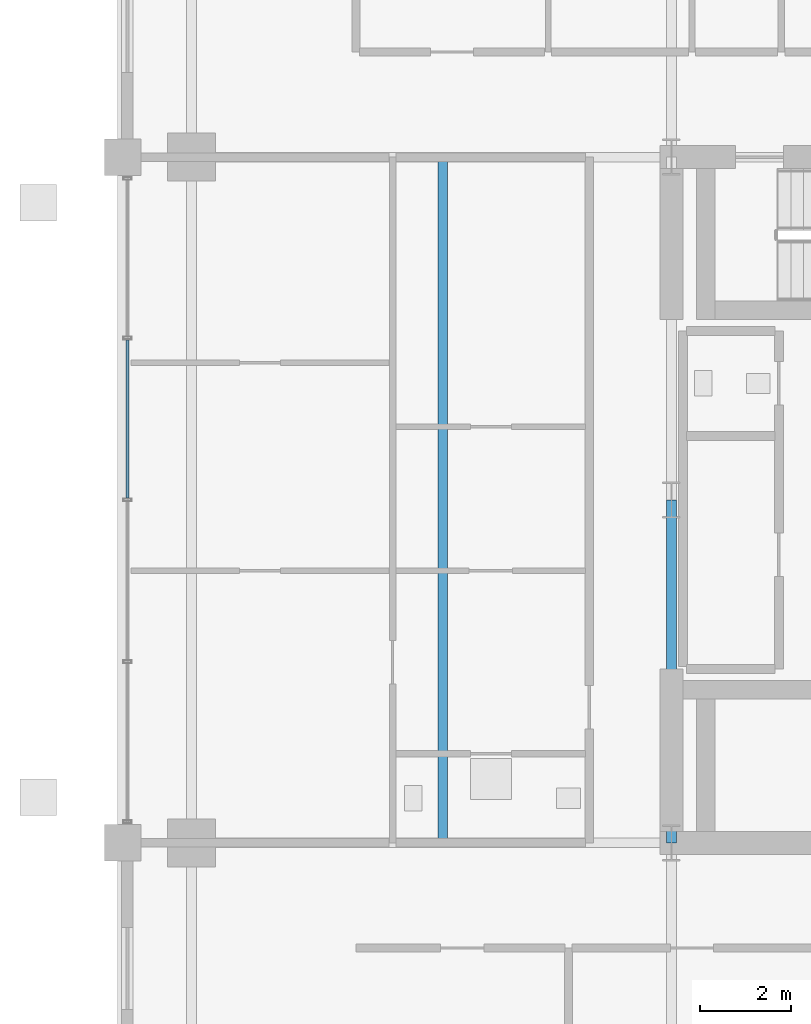
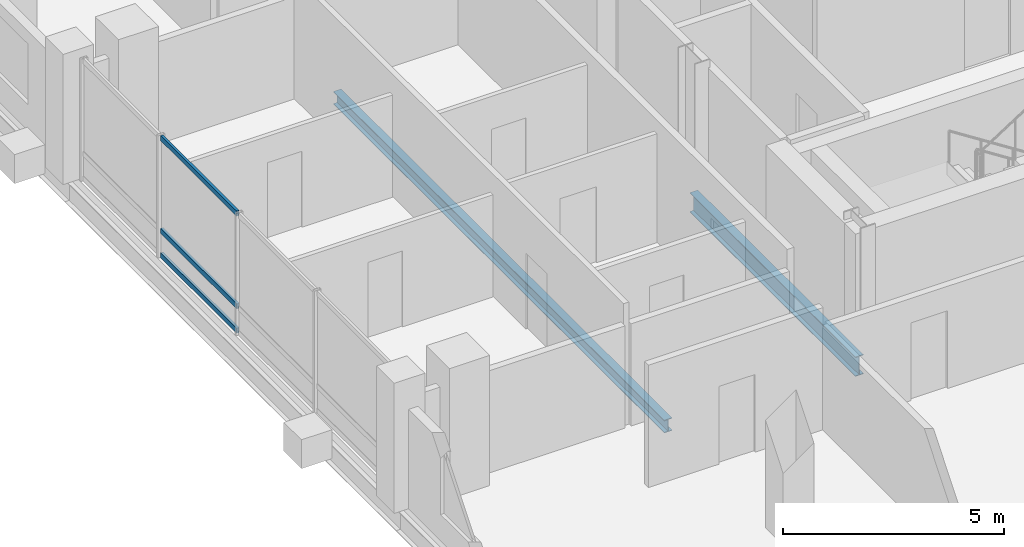
# One storey, part 7 of 24: 3 members, 2 beams, 1 element without a shape of its own.
"""IFC4 building model written with IfcOpenShell, lengths in metres."""

import ifcopenshell
import ifcopenshell.guid

model = None  # the IFC model being written
_history = None  # IfcOwnerHistory: only IFC2X3 demands one
_inside = {}  # id of a spatial element -> (the spatial element, [elements in it])
_under = {}  # id of a project, library or spatial element -> (it, [spatial elements below it])
_declared = {}  # id of a project -> (the project, [libraries it declares])
_typed = {}  # id of a type object -> (the type object, [elements of that type])
_made_of = {}  # id of a material, layer set ... -> (it, [elements and type objects made of it])


def new_model(schema):
    """Start an empty IFC model of exactly this schema.

    Asked for "IFC4X3", IfcOpenShell would pick the latest addendum, in which some entities
    have other attributes; the version numbers below select the first issue.
    IFC2X3 requires an IfcOwnerHistory on every rooted entity: one is made here for all.
    """
    global model, _history
    if schema == "IFC4X3":
        model = ifcopenshell.file(schema_version=(4, 3, 0, 0))
    else:
        model = ifcopenshell.file(schema=schema)
    _inside.clear()
    _under.clear()
    _declared.clear()
    _typed.clear()
    _made_of.clear()
    _history = None
    if model.schema == "IFC2X3":
        org = make("IfcOrganization", Name="unknown")
        user = make(
            "IfcPersonAndOrganization",
            ThePerson=make("IfcPerson", FamilyName="unknown"),
            TheOrganization=org,
        )
        app = make(
            "IfcApplication",
            ApplicationDeveloper=org,
            Version="unknown",
            ApplicationFullName="unknown",
            ApplicationIdentifier="unknown",
        )
        _history = make(
            "IfcOwnerHistory",
            OwningUser=user,
            OwningApplication=app,
            ChangeAction="ADDED",
            CreationDate=0,
        )
    return model


def make(cls, **values):
    """One entity of the class cls with the attributes given. An attribute that is None is left unset."""
    return model.create_entity(
        cls, **{name: value for name, value in values.items() if value is not None}
    )


def rooted(cls, **values):
    """An entity with a GlobalId (a new one), such as an element, a storey or a relation."""
    return make(cls, GlobalId=ifcopenshell.guid.new(), OwnerHistory=_history, **values)


def si_unit(unit_type, name, prefix=None):
    """IfcSIUnit, for example si_unit("LENGTHUNIT", "METRE", prefix="MILLI")."""
    return make("IfcSIUnit", UnitType=unit_type, Prefix=prefix, Name=name)


def assignment(units):
    """IfcUnitAssignment: the units of a project."""
    return None if units is None else make("IfcUnitAssignment", Units=units)


def point(xyz):
    """IfcCartesianPoint."""
    return None if xyz is None else make("IfcCartesianPoint", Coordinates=xyz)


def direction(xyz):
    """IfcDirection."""
    return None if xyz is None else make("IfcDirection", DirectionRatios=xyz)


def frame(location, z_axis=None, x_axis=None):
    """IfcAxis2Placement3D, a coordinate frame: its origin and axes. An axis left out is left unset."""
    return make(
        "IfcAxis2Placement3D",
        Location=point(location),
        Axis=direction(z_axis),
        RefDirection=direction(x_axis),
    )


def frame_2d(location, x_axis=None):
    """IfcAxis2Placement2D, a coordinate frame in the plane: its origin and x axis."""
    return make(
        "IfcAxis2Placement2D", Location=point(location), RefDirection=direction(x_axis)
    )


def origin():
    """The frame at (0, 0, 0) with its axes left unset."""
    return frame((0.0, 0.0, 0.0))


def origin_2d():
    """The frame at (0, 0) in the plane with its x axis left unset."""
    return frame_2d((0.0, 0.0))


def place(relative_to, where):
    """IfcLocalPlacement: puts the frame where relative to a parent placement (None: the world)."""
    return make(
        "IfcLocalPlacement", PlacementRelTo=relative_to, RelativePlacement=where
    )


def context(
    kind, dimensions, precision=None, world=None, true_north=None, identifier=None
):
    """IfcGeometricRepresentationContext, for example the 3D "Model" context."""
    return make(
        "IfcGeometricRepresentationContext",
        ContextIdentifier=identifier,
        ContextType=kind,
        CoordinateSpaceDimension=dimensions,
        Precision=precision,
        WorldCoordinateSystem=world,
        TrueNorth=true_north,
    )


def subcontext(parent, identifier, kind, view, scale=None):
    """IfcGeometricRepresentationSubContext, for example "Body" below "Model"."""
    return make(
        "IfcGeometricRepresentationSubContext",
        ContextIdentifier=identifier,
        ContextType=kind,
        ParentContext=parent,
        TargetScale=scale,
        TargetView=view,
    )


def project(units=None, contexts=None):
    """IfcProject with its units and contexts."""
    return rooted(
        "IfcProject",
        Name="project",
        RepresentationContexts=contexts,
        UnitsInContext=assignment(units),
    )


def spatial(cls, under=None, at=None, **own):
    """A site, building, storey or space (cls), placed at a placement, below another one or the project."""
    s = rooted(cls, ObjectPlacement=at, **own)
    if under is not None:
        _under.setdefault(under.id(), (under, []))[1].append(s)
    return s


def profile(cls, at=None, kind="AREA", **sizes):
    """A parametric profile (cls). Its sizes go by their IFC names, for example OverallWidth=200.0."""
    return make(cls, ProfileType=kind, Position=at, **sizes)


def hollow_rectangle(**sizes):
    """IfcRectangleHollowProfileDef."""
    return profile("IfcRectangleHollowProfileDef", **sizes)


def i_section(**sizes):
    """IfcIShapeProfileDef."""
    return profile("IfcIShapeProfileDef", **sizes)


def extrude(swept, where, along, depth):
    """IfcExtrudedAreaSolid: the profile swept, set in the frame where, extruded along a direction by depth."""
    return make(
        "IfcExtrudedAreaSolid",
        SweptArea=swept,
        Position=where,
        ExtrudedDirection=direction(along),
        Depth=depth,
    )


def shape(context_of_items, identifier, shape_type, items):
    """IfcShapeRepresentation: the items that make up one representation, for example the "Body"."""
    return make(
        "IfcShapeRepresentation",
        ContextOfItems=context_of_items,
        RepresentationIdentifier=identifier,
        RepresentationType=shape_type,
        Items=items,
    )


def material(Name=None, Category=None):
    """IfcMaterial."""
    return make("IfcMaterial", Name=Name, Category=Category)


def layer(
    of_material, thickness, ventilated=None, Name=None, Category=None, Priority=None
):
    """IfcMaterialLayer: one layer of a wall or slab, of a material (None: an air gap)."""
    return make(
        "IfcMaterialLayer",
        Material=of_material,
        LayerThickness=thickness,
        IsVentilated=ventilated,
        Name=Name,
        Category=Category,
        Priority=Priority,
    )


def layer_set(layers, Name=None):
    """IfcMaterialLayerSet."""
    return make("IfcMaterialLayerSet", MaterialLayers=layers, LayerSetName=Name)


def material_profile(
    of_material, cross_section, Name=None, Category=None, Priority=None
):
    """IfcMaterialProfile: a cross section and its material."""
    return make(
        "IfcMaterialProfile",
        Name=Name,
        Material=of_material,
        Profile=cross_section,
        Priority=Priority,
        Category=Category,
    )


def profile_set(profiles, Name=None, composite=None):
    """IfcMaterialProfileSet."""
    return make(
        "IfcMaterialProfileSet",
        Name=Name,
        MaterialProfiles=profiles,
        CompositeProfile=composite,
    )


def made_of(thing, what):
    """Note that an element or type object is made of a material, layer set ...; save() writes the relation."""
    if what is not None:
        _made_of.setdefault(what.id(), (what, []))[1].append(thing)
    return thing


def type_object(cls, material=None, **own):
    """A type object (cls), such as IfcWallType, which elements share."""
    return made_of(rooted(cls, **own), material)


def element(
    cls,
    number,
    at=None,
    inside=None,
    cuts=None,
    type_object=None,
    material=None,
    context=None,
    identifier="Body",
    shape_type=None,
    held_by="IfcProductDefinitionShape",
    body=None,
    shapes=None,
    **own,
):
    """One element of the class cls, such as IfcWall. Its Tag is "e" and its number.

    at: its placement. inside: the storey or other place that contains it. cuts: it is an
    opening in that element (IfcRelVoidsElement). A single representation is given by context,
    identifier, shape_type and body (its items); several are given by shapes. held_by: the class
    of the entity that holds the representations. save() writes the other relations.
    """
    e = rooted(cls, Tag="e%d" % number, ObjectPlacement=at, **own)
    if body is not None:
        shapes = [shape(context, identifier, shape_type, body)]
    if shapes is not None:
        e.Representation = make(held_by, Representations=shapes)
    if inside is not None:
        _inside.setdefault(inside.id(), (inside, []))[1].append(e)
    if cuts is not None:
        rooted(
            "IfcRelVoidsElement", RelatingBuildingElement=cuts, RelatedOpeningElement=e
        )
    if type_object is not None:
        _typed.setdefault(type_object.id(), (type_object, []))[1].append(e)
    return made_of(e, material)


def aggregate(whole, parts):
    """IfcRelAggregates: a whole, such as a stair, and the parts it consists of."""
    return rooted("IfcRelAggregates", RelatingObject=whole, RelatedObjects=parts)


def save(model, path):
    """Write the relations noted so far, then the file.

    IfcRelAggregates (storeys below a building ...), IfcRelContainedInSpatialStructure (elements
    in a storey), IfcRelDefinesByType, IfcRelAssociatesMaterial and IfcRelDeclares: one each for
    every whole, place, type object, material and project.
    """
    for whole, parts in _under.values():
        aggregate(whole, parts)
    for where, things in _inside.values():
        rooted(
            "IfcRelContainedInSpatialStructure",
            RelatedElements=things,
            RelatingStructure=where,
        )
    for kind, things in _typed.values():
        rooted("IfcRelDefinesByType", RelatedObjects=things, RelatingType=kind)
    for what, things in _made_of.values():
        rooted("IfcRelAssociatesMaterial", RelatedObjects=things, RelatingMaterial=what)
    for by, libraries in _declared.values():
        rooted("IfcRelDeclares", RelatingContext=by, RelatedDefinitions=libraries)
    model.write(path)


model = new_model("IFC4")

# Units and contexts
model_context = context("Model", 3, precision=1e-05, world=origin(), true_north=direction((0.0, 1.0)))
body_context = subcontext(model_context, "Body", "Model", "MODEL_VIEW")
ifc_project = project(units=[si_unit("LENGTHUNIT", "METRE"), si_unit("AREAUNIT", "SQUARE_METRE"), si_unit("VOLUMEUNIT", "CUBIC_METRE"), si_unit("PLANEANGLEUNIT", "RADIAN"), si_unit("MASSUNIT", "GRAM", prefix="KILO")], contexts=[model_context])

# Site, building, storey
site_placement = place(None, origin())
site = spatial("IfcSite", under=ifc_project, at=site_placement, CompositionType="ELEMENT")
building_placement = place(site_placement, origin())
building = spatial("IfcBuilding", under=site, at=building_placement, Name="Barlavira Tower and Art Museum", CompositionType="ELEMENT")
storey_placement = place(building_placement, frame((0.0, 0.0, 190.800048828125)))
storey = spatial("IfcBuildingStorey", under=building, at=storey_placement, Name="L49", CompositionType="ELEMENT", Elevation=190.800048828125)

# Curtain wall, members
ifc_material_1 = material(Name="Low-iron coastal laminated glass", Category="glass")
ifc_layer = layer(ifc_material_1, 0.199951171875, Name="Low-iron coastal laminated glass")
ifc_layer_set = layer_set([ifc_layer], Name="Low-iron coastal laminated glass")
curtain_wall_type = type_object("IfcCurtainWallType", Name="Pale-Metal Unitised Curtain Wall Zone 3", PredefinedType="NOTDEFINED", material=ifc_layer_set)
curtain_wall_placement = place(storey_placement, origin())
curtain_wall = element("IfcCurtainWall", 1, at=curtain_wall_placement, inside=storey, type_object=curtain_wall_type, Name="L49 Curtain Wall CW3-L49-W-B3", PredefinedType="NOTDEFINED")
ifc_material_2 = material(Name="Pale anodised aluminium", Category="aluminium")
ifc_material_profile_1 = material_profile(ifc_material_2, hollow_rectangle(XDim=0.06494140625, YDim=0.139892578125, WallThickness=0.00390625, at=origin_2d()), Name="ALU-TRAN 65x140x4")
ifc_profile_set_1 = profile_set([ifc_material_profile_1], Name="Pale anodised aluminium")
member_type = type_object("IfcMemberType", Name="Curtain Wall Pale-Metal Transom 65x140", PredefinedType="USERDEFINED", material=ifc_profile_set_1)
member_1_placement = place(storey_placement, frame((-18.39990234375, 3.4951171875, 0.070068359375), z_axis=(0.0, -1.0, 0.0), x_axis=(1.0, 0.0, 0.0)))
member_1 = element("IfcMember", 2, at=member_1_placement, type_object=member_type, Name="CW3-L49-W-B3 Transom 1.1", ObjectType="TRANSOM", PredefinedType="USERDEFINED", context=body_context, shape_type="SweptSolid", body=[
    extrude(hollow_rectangle(XDim=0.06494140625, YDim=0.139892578125, WallThickness=0.00390625, at=origin_2d()), origin(), (0.0, 0.0, 1.0), 3.4501953125),
])
member_2_placement = place(storey_placement, frame((-18.39990234375, 3.4951171875, 0.743896484375), z_axis=(0.0, -1.0, 0.0), x_axis=(1.0, 0.0, 0.0)))
member_2 = element("IfcMember", 3, at=member_2_placement, type_object=member_type, Name="CW3-L49-W-B3 Transom 1.2", ObjectType="TRANSOM", PredefinedType="USERDEFINED", context=body_context, shape_type="SweptSolid", body=[
    extrude(hollow_rectangle(XDim=0.06494140625, YDim=0.139892578125, WallThickness=0.00390625, at=origin_2d()), origin(), (0.0, 0.0, 1.0), 3.4501953125),
])
member_3_placement = place(storey_placement, frame((-18.39990234375, 3.4951171875, 3.31005859375), z_axis=(0.0, -1.0, 0.0), x_axis=(1.0, 0.0, 0.0)))
member_3 = element("IfcMember", 4, at=member_3_placement, type_object=member_type, Name="CW3-L49-W-B3 Transom 1.3", ObjectType="TRANSOM", PredefinedType="USERDEFINED", context=body_context, shape_type="SweptSolid", body=[
    extrude(hollow_rectangle(XDim=0.06494140625, YDim=0.139892578125, WallThickness=0.00390625, at=origin_2d()), origin(), (0.0, 0.0, 1.0), 3.4501953125),
])
aggregate(curtain_wall, [member_1, member_2, member_3])

# Beams
ifc_material_3 = material(Name="Steel S355", Category="steel")
ifc_material_profile_2 = material_profile(ifc_material_3, i_section(OverallWidth=0.205078125, OverallDepth=0.35400390625, WebThickness=0.009521484375, FlangeThickness=0.016845703125, at=origin_2d()), Name="W360x79.0")
ifc_profile_set_2 = profile_set([ifc_material_profile_2], Name="Steel S355")
beam_type_1 = type_object("IfcBeamType", Name="Zone 3 Composite Floor Joist W360x79 Steel S355", PredefinedType="JOIST", material=ifc_profile_set_2)
beam_1_placement = place(storey_placement, frame((-11.5, -7.5, -0.39697265625), z_axis=(0.0, 1.0, 0.0), x_axis=(-1.0, 0.0, 0.0)))
element("IfcBeam", 5, at=beam_1_placement, inside=storey, type_object=beam_type_1, Name="L49 Joist W1", PredefinedType="JOIST", context=body_context, shape_type="SweptSolid", body=[
    extrude(i_section(OverallWidth=0.205078125, OverallDepth=0.35400390625, WebThickness=0.009521484375, FlangeThickness=0.016845703125, at=origin_2d()), origin(), (0.0, 0.0, 1.0), 15.0),
])
ifc_material_profile_3 = material_profile(ifc_material_3, i_section(OverallWidth=0.2109375, OverallDepth=0.5390625, WebThickness=0.01171875, FlangeThickness=0.018798828125, at=origin_2d()), Name="W530x109.0")
ifc_profile_set_3 = profile_set([ifc_material_profile_3], Name="Steel S355")
beam_type_2 = type_object("IfcBeamType", Name="Zone 3-4 Primary Floor Girder W530x109 Steel S355", PredefinedType="BEAM", material=ifc_profile_set_3)
beam_2_placement = place(storey_placement, frame((-6.5, -7.5, -0.489501953125), z_axis=(0.0, 1.0, 0.0), x_axis=(-1.0, 0.0, 0.0)))
element("IfcBeam", 6, at=beam_2_placement, inside=storey, type_object=beam_type_2, Name="L49 Girder C-W1", PredefinedType="BEAM", context=body_context, shape_type="SweptSolid", body=[
    extrude(i_section(OverallWidth=0.2109375, OverallDepth=0.5390625, WebThickness=0.01171875, FlangeThickness=0.018798828125, at=origin_2d()), origin(), (0.0, 0.0, 1.0), 7.5),
])

save(model, "model.ifc")
